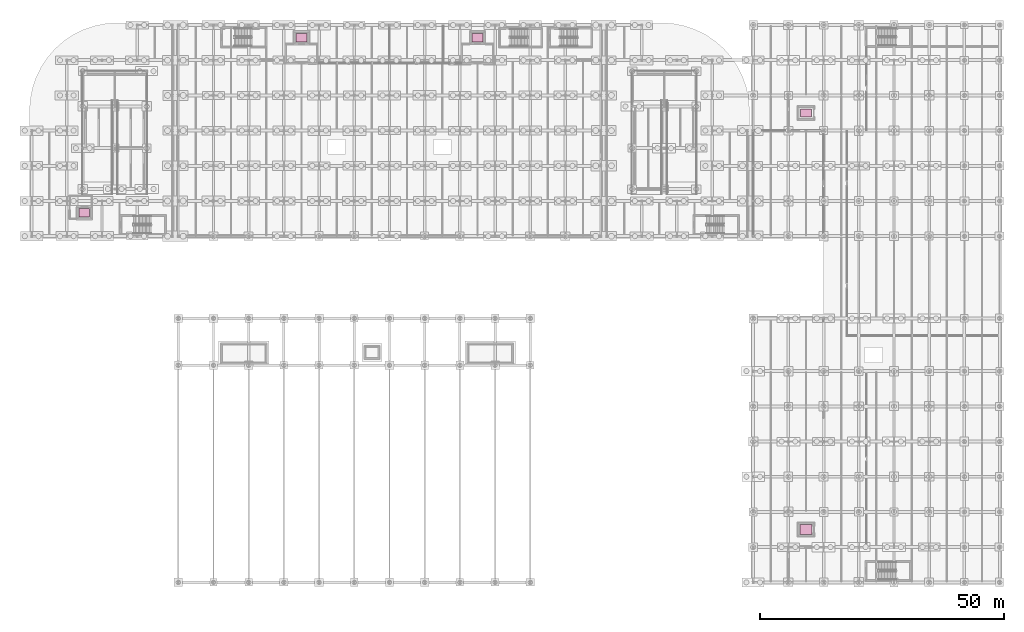
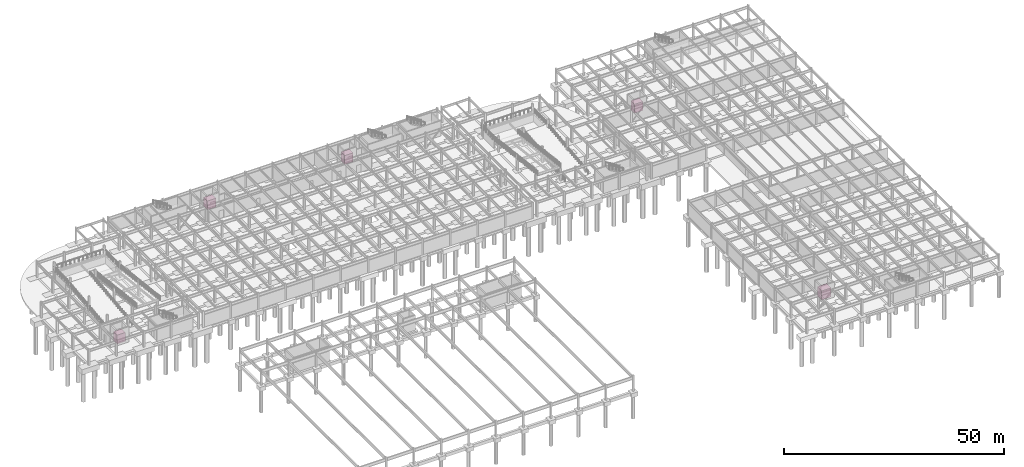
# One storey, part 54 of 54: 5 transport elements.
"""IFC4 building model written with IfcOpenShell, lengths in metres."""

from ifc_helpers import new_model, si_unit, direction, frame, origin, origin_2d, place, context, subcontext, project, spatial, rectangle, extrude, material, type_object, element, save


model = new_model("IFC4")

# Units and contexts
model_context = context("Model", 3, precision=1e-05, world=origin(), true_north=direction((0.0, 1.0)))
body_context = subcontext(model_context, "Body", "Model", "MODEL_VIEW")
ifc_project = project(units=[si_unit("LENGTHUNIT", "METRE"), si_unit("AREAUNIT", "SQUARE_METRE"), si_unit("VOLUMEUNIT", "CUBIC_METRE"), si_unit("PLANEANGLEUNIT", "RADIAN"), si_unit("MASSUNIT", "GRAM", prefix="KILO")], contexts=[model_context])

# Site, building, storey
site_placement = place(None, origin())
site = spatial("IfcSite", under=ifc_project, at=site_placement, CompositionType="ELEMENT")
building_placement = place(site_placement, origin())
building = spatial("IfcBuilding", under=site, at=building_placement, Name="Vaelcorin Mobility Hub", CompositionType="ELEMENT")
storey_placement = place(building_placement, frame((0.0, 0.0, -4.5)))
storey = spatial("IfcBuildingStorey", under=building, at=storey_placement, Name="B1", CompositionType="ELEMENT", Elevation=-4.5)

# Transport elements
ifc_material = material(Name="Brushed stainless steel 316L", Category="steel")
transport_element_type_1 = type_object("IfcTransportElementType", Name="LIFT-FF-2200", PredefinedType="ELEVATOR", material=ifc_material)
for number, where, z_axis, x_axis, name in (
    (1, (61.199951171875, 117.39990234375, 0.0), (0.0, 0.0, 1.0), (1.0, 0.0, 0.0), "Firefighting Stretcher Lift LF1"),
    (2, (97.199951171875, 117.39990234375, 0.0), (0.0, 0.0, 1.0), (1.0, 0.0, 0.0), "Firefighting Stretcher Lift LF2"),
):
    element("IfcTransportElement", number, at=place(storey_placement, frame(where, z_axis=z_axis, x_axis=x_axis)), inside=storey, type_object=transport_element_type_1, Name=name, PredefinedType="ELEVATOR", context=body_context, shape_type="SweptSolid", body=[
        extrude(rectangle(XDim=2.199951171875, YDim=1.75, at=origin_2d()), origin(), (0.0, 0.0, 1.0), 2.449951171875),
    ])
transport_element_type_2 = type_object("IfcTransportElementType", Name="LIFT-GOODS-2500", PredefinedType="ELEVATOR", material=ifc_material)
transport_element_placement = place(storey_placement, frame((164.39990234375, 16.800048828125, 0.0), z_axis=(0.0, 0.0, 1.0), x_axis=(1.0, 0.0, 0.0)))
element("IfcTransportElement", 3, at=transport_element_placement, inside=storey, type_object=transport_element_type_2, Name="Cargo-Bicycle and Workshop Goods Lift LF5", PredefinedType="ELEVATOR", context=body_context, shape_type="SweptSolid", body=[
    extrude(rectangle(XDim=2.5, YDim=2.0, at=origin_2d()), origin(), (0.0, 0.0, 1.0), 2.5),
])
transport_element_type_3 = type_object("IfcTransportElementType", Name="LIFT-PASS-2150", PredefinedType="ELEVATOR", material=ifc_material)
for number, where, z_axis, x_axis, name in (
    (4, (16.800048828125, 81.60009765625, 0.0), (0.0, 0.0, 1.0), (1.0, 0.0, 0.0), "Passenger Stretcher Lift LF4"),
    (5, (164.39990234375, 102.0, 0.0), (0.0, 0.0, 1.0), (1.0, 0.0, 0.0), "Passenger Stretcher Lift LF6"),
):
    element("IfcTransportElement", number, at=place(storey_placement, frame(where, z_axis=z_axis, x_axis=x_axis)), inside=storey, type_object=transport_element_type_3, Name=name, PredefinedType="ELEVATOR", context=body_context, shape_type="SweptSolid", body=[
        extrude(rectangle(XDim=2.14990234375, YDim=1.699951171875, at=origin_2d()), origin(), (0.0, 0.0, 1.0), 2.449951171875),
    ])

save(model, "model.ifc")
